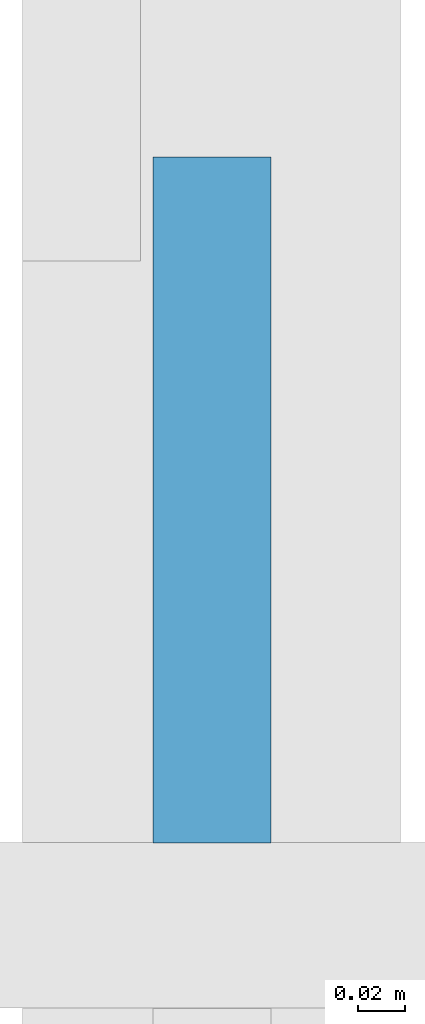
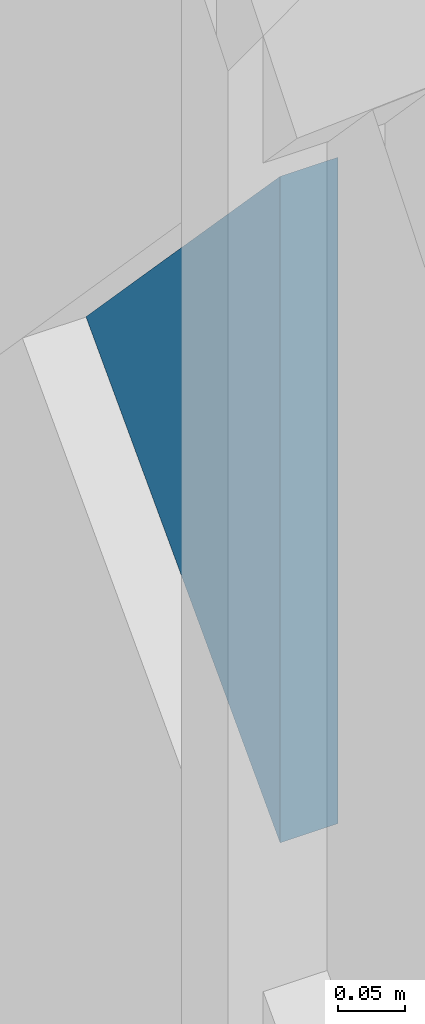
# One storey, part 11 of 17: 1 plate, 1 element without a shape of its own.
"""IFC4 building model written with IfcOpenShell, lengths in metres."""

import ifcopenshell
import ifcopenshell.guid

model = None  # the IFC model being written
_history = None  # IfcOwnerHistory: only IFC2X3 demands one
_inside = {}  # id of a spatial element -> (the spatial element, [elements in it])
_under = {}  # id of a project, library or spatial element -> (it, [spatial elements below it])
_declared = {}  # id of a project -> (the project, [libraries it declares])
_typed = {}  # id of a type object -> (the type object, [elements of that type])
_made_of = {}  # id of a material, layer set ... -> (it, [elements and type objects made of it])


def new_model(schema):
    """Start an empty IFC model of exactly this schema.

    Asked for "IFC4X3", IfcOpenShell would pick the latest addendum, in which some entities
    have other attributes; the version numbers below select the first issue.
    IFC2X3 requires an IfcOwnerHistory on every rooted entity: one is made here for all.
    """
    global model, _history
    if schema == "IFC4X3":
        model = ifcopenshell.file(schema_version=(4, 3, 0, 0))
    else:
        model = ifcopenshell.file(schema=schema)
    _inside.clear()
    _under.clear()
    _declared.clear()
    _typed.clear()
    _made_of.clear()
    _history = None
    if model.schema == "IFC2X3":
        org = make("IfcOrganization", Name="unknown")
        user = make(
            "IfcPersonAndOrganization",
            ThePerson=make("IfcPerson", FamilyName="unknown"),
            TheOrganization=org,
        )
        app = make(
            "IfcApplication",
            ApplicationDeveloper=org,
            Version="unknown",
            ApplicationFullName="unknown",
            ApplicationIdentifier="unknown",
        )
        _history = make(
            "IfcOwnerHistory",
            OwningUser=user,
            OwningApplication=app,
            ChangeAction="ADDED",
            CreationDate=0,
        )
    return model


def make(cls, **values):
    """One entity of the class cls with the attributes given. An attribute that is None is left unset."""
    return model.create_entity(
        cls, **{name: value for name, value in values.items() if value is not None}
    )


def rooted(cls, **values):
    """An entity with a GlobalId (a new one), such as an element, a storey or a relation."""
    return make(cls, GlobalId=ifcopenshell.guid.new(), OwnerHistory=_history, **values)


def si_unit(unit_type, name, prefix=None):
    """IfcSIUnit, for example si_unit("LENGTHUNIT", "METRE", prefix="MILLI")."""
    return make("IfcSIUnit", UnitType=unit_type, Prefix=prefix, Name=name)


def assignment(units):
    """IfcUnitAssignment: the units of a project."""
    return None if units is None else make("IfcUnitAssignment", Units=units)


def point(xyz):
    """IfcCartesianPoint."""
    return None if xyz is None else make("IfcCartesianPoint", Coordinates=xyz)


def direction(xyz):
    """IfcDirection."""
    return None if xyz is None else make("IfcDirection", DirectionRatios=xyz)


def frame(location, z_axis=None, x_axis=None):
    """IfcAxis2Placement3D, a coordinate frame: its origin and axes. An axis left out is left unset."""
    return make(
        "IfcAxis2Placement3D",
        Location=point(location),
        Axis=direction(z_axis),
        RefDirection=direction(x_axis),
    )


def origin():
    """The frame at (0, 0, 0) with its axes left unset."""
    return frame((0.0, 0.0, 0.0))


def place(relative_to, where):
    """IfcLocalPlacement: puts the frame where relative to a parent placement (None: the world)."""
    return make(
        "IfcLocalPlacement", PlacementRelTo=relative_to, RelativePlacement=where
    )


def context(
    kind, dimensions, precision=None, world=None, true_north=None, identifier=None
):
    """IfcGeometricRepresentationContext, for example the 3D "Model" context."""
    return make(
        "IfcGeometricRepresentationContext",
        ContextIdentifier=identifier,
        ContextType=kind,
        CoordinateSpaceDimension=dimensions,
        Precision=precision,
        WorldCoordinateSystem=world,
        TrueNorth=true_north,
    )


def subcontext(parent, identifier, kind, view, scale=None):
    """IfcGeometricRepresentationSubContext, for example "Body" below "Model"."""
    return make(
        "IfcGeometricRepresentationSubContext",
        ContextIdentifier=identifier,
        ContextType=kind,
        ParentContext=parent,
        TargetScale=scale,
        TargetView=view,
    )


def project(units=None, contexts=None):
    """IfcProject with its units and contexts."""
    return rooted(
        "IfcProject",
        Name="project",
        RepresentationContexts=contexts,
        UnitsInContext=assignment(units),
    )


def spatial(cls, under=None, at=None, **own):
    """A site, building, storey or space (cls), placed at a placement, below another one or the project."""
    s = rooted(cls, ObjectPlacement=at, **own)
    if under is not None:
        _under.setdefault(under.id(), (under, []))[1].append(s)
    return s


def polyline(points):
    """IfcPolyline through the points."""
    return make("IfcPolyline", Points=[point(p) for p in points])


def outline(outer, holes=None, kind="AREA"):
    """IfcArbitraryClosedProfileDef: a profile drawn as a closed curve; with holes, ...WithVoids."""
    if holes is None:
        return make("IfcArbitraryClosedProfileDef", ProfileType=kind, OuterCurve=outer)
    return make(
        "IfcArbitraryProfileDefWithVoids",
        ProfileType=kind,
        OuterCurve=outer,
        InnerCurves=holes,
    )


def extrude(swept, where, along, depth):
    """IfcExtrudedAreaSolid: the profile swept, set in the frame where, extruded along a direction by depth."""
    return make(
        "IfcExtrudedAreaSolid",
        SweptArea=swept,
        Position=where,
        ExtrudedDirection=direction(along),
        Depth=depth,
    )


def shape(context_of_items, identifier, shape_type, items):
    """IfcShapeRepresentation: the items that make up one representation, for example the "Body"."""
    return make(
        "IfcShapeRepresentation",
        ContextOfItems=context_of_items,
        RepresentationIdentifier=identifier,
        RepresentationType=shape_type,
        Items=items,
    )


def material(Name=None, Category=None):
    """IfcMaterial."""
    return make("IfcMaterial", Name=Name, Category=Category)


def layer(
    of_material, thickness, ventilated=None, Name=None, Category=None, Priority=None
):
    """IfcMaterialLayer: one layer of a wall or slab, of a material (None: an air gap)."""
    return make(
        "IfcMaterialLayer",
        Material=of_material,
        LayerThickness=thickness,
        IsVentilated=ventilated,
        Name=Name,
        Category=Category,
        Priority=Priority,
    )


def layer_set(layers, Name=None):
    """IfcMaterialLayerSet."""
    return make("IfcMaterialLayerSet", MaterialLayers=layers, LayerSetName=Name)


def made_of(thing, what):
    """Note that an element or type object is made of a material, layer set ...; save() writes the relation."""
    if what is not None:
        _made_of.setdefault(what.id(), (what, []))[1].append(thing)
    return thing


def type_object(cls, material=None, **own):
    """A type object (cls), such as IfcWallType, which elements share."""
    return made_of(rooted(cls, **own), material)


def element(
    cls,
    number,
    at=None,
    inside=None,
    cuts=None,
    type_object=None,
    material=None,
    context=None,
    identifier="Body",
    shape_type=None,
    held_by="IfcProductDefinitionShape",
    body=None,
    shapes=None,
    **own,
):
    """One element of the class cls, such as IfcWall. Its Tag is "e" and its number.

    at: its placement. inside: the storey or other place that contains it. cuts: it is an
    opening in that element (IfcRelVoidsElement). A single representation is given by context,
    identifier, shape_type and body (its items); several are given by shapes. held_by: the class
    of the entity that holds the representations. save() writes the other relations.
    """
    e = rooted(cls, Tag="e%d" % number, ObjectPlacement=at, **own)
    if body is not None:
        shapes = [shape(context, identifier, shape_type, body)]
    if shapes is not None:
        e.Representation = make(held_by, Representations=shapes)
    if inside is not None:
        _inside.setdefault(inside.id(), (inside, []))[1].append(e)
    if cuts is not None:
        rooted(
            "IfcRelVoidsElement", RelatingBuildingElement=cuts, RelatedOpeningElement=e
        )
    if type_object is not None:
        _typed.setdefault(type_object.id(), (type_object, []))[1].append(e)
    return made_of(e, material)


def aggregate(whole, parts):
    """IfcRelAggregates: a whole, such as a stair, and the parts it consists of."""
    return rooted("IfcRelAggregates", RelatingObject=whole, RelatedObjects=parts)


def save(model, path):
    """Write the relations noted so far, then the file.

    IfcRelAggregates (storeys below a building ...), IfcRelContainedInSpatialStructure (elements
    in a storey), IfcRelDefinesByType, IfcRelAssociatesMaterial and IfcRelDeclares: one each for
    every whole, place, type object, material and project.
    """
    for whole, parts in _under.values():
        aggregate(whole, parts)
    for where, things in _inside.values():
        rooted(
            "IfcRelContainedInSpatialStructure",
            RelatedElements=things,
            RelatingStructure=where,
        )
    for kind, things in _typed.values():
        rooted("IfcRelDefinesByType", RelatedObjects=things, RelatingType=kind)
    for what, things in _made_of.values():
        rooted("IfcRelAssociatesMaterial", RelatedObjects=things, RelatingMaterial=what)
    for by, libraries in _declared.values():
        rooted("IfcRelDeclares", RelatingContext=by, RelatedDefinitions=libraries)
    model.write(path)


model = new_model("IFC4")

# Units and contexts
model_context = context("Model", 3, precision=1e-05, world=origin(), true_north=direction((0.0, 1.0)))
body_context = subcontext(model_context, "Body", "Model", "MODEL_VIEW")
ifc_project = project(units=[si_unit("LENGTHUNIT", "METRE"), si_unit("AREAUNIT", "SQUARE_METRE"), si_unit("VOLUMEUNIT", "CUBIC_METRE"), si_unit("PLANEANGLEUNIT", "RADIAN"), si_unit("MASSUNIT", "GRAM", prefix="KILO")], contexts=[model_context])

# Site, building, storey
site_placement = place(None, origin())
site = spatial("IfcSite", under=ifc_project, at=site_placement, CompositionType="ELEMENT")
building_placement = place(site_placement, origin())
building = spatial("IfcBuilding", under=site, at=building_placement, Name="Rheinbord Bourse Tower", CompositionType="ELEMENT")
storey_placement = place(building_placement, frame((0.0, 0.0, 129.89990234375)))
storey = spatial("IfcBuildingStorey", under=building, at=storey_placement, Name="L28", CompositionType="ELEMENT", Elevation=129.89990234375)

# Curtain wall, plate
ifc_material_1 = material(Name="Dark glass and black aluminium", Category="aluminium")
curtain_wall_type = type_object("IfcCurtainWallType", Name="CW2 DARK GLASS CURTAIN WALL", PredefinedType="USERDEFINED", material=ifc_material_1)
curtain_wall_placement = place(storey_placement, origin())
curtain_wall = element("IfcCurtainWall", 1, at=curtain_wall_placement, inside=storey, type_object=curtain_wall_type, Name="Curtain wall CW2 W L28", ObjectType="UNITISED CURTAIN WALL", PredefinedType="USERDEFINED")
ifc_material_2 = material(Name="Dark tinted triple insulating glass", Category="glass")
ifc_layer = layer(ifc_material_2, 0.050048828125)
ifc_layer_set = layer_set([ifc_layer], Name="CW2 DARK GLASS PANEL")
plate_type = type_object("IfcPlateType", Name="CW2 DARK GLASS PANEL", PredefinedType="CURTAIN_PANEL", material=ifc_layer_set)
plate_placement = place(storey_placement, frame((-0.625, 12.875, 1.796142578125), z_axis=(1.0, 0.0, 0.0), x_axis=(0.0, 0.690351348843, 0.723474267096)))
plate = element("IfcPlate", 2, at=plate_placement, type_object=plate_type, Name="CW2 glass facet 4", PredefinedType="CURTAIN_PANEL", context=body_context, shape_type="SweptSolid", body=[
    extrude(outline(polyline([(0.0, 0.0), (0.420166015625, 0.0), (0.439697265625, 0.419677734375), (0.0, 0.0)])), origin(), (0.0, 0.0, 1.0), 0.050048828125),
])
aggregate(curtain_wall, [plate])

save(model, "model.ifc")
